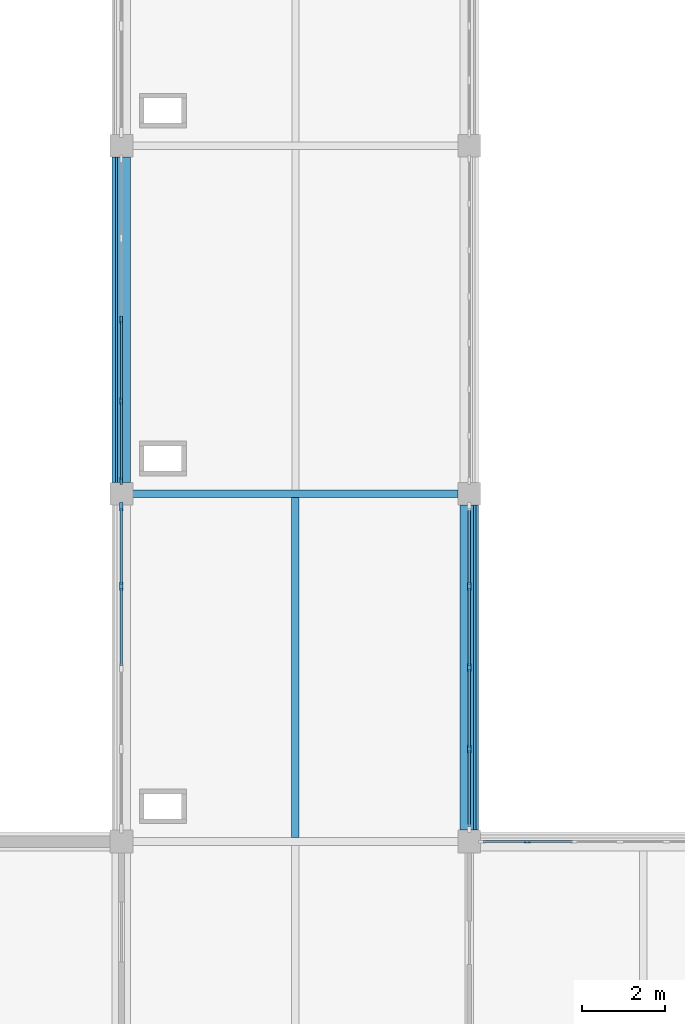
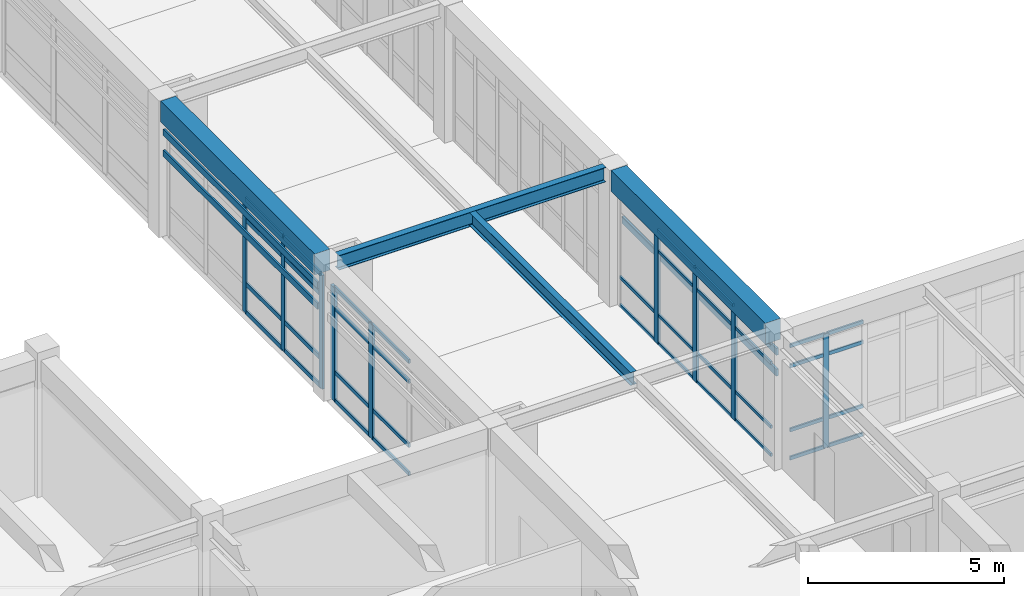
# One storey, part 22 of 78: 51 members, 4 beams, 4 elements without a shape of their own.
"""IFC4 building model written with IfcOpenShell, lengths in metres."""

from ifc_helpers import new_model, si_unit, direction, frame, origin, origin_2d, place, context, subcontext, project, spatial, rectangle, i_section, extrude, material, layer, layer_set, material_profile, profile_set, type_object, element, aggregate, save


model = new_model("IFC4")

# Units and contexts
model_context = context("Model", 3, precision=1e-05, world=origin(), true_north=direction((0.0, 1.0)))
body_context = subcontext(model_context, "Body", "Model", "MODEL_VIEW")
ifc_project = project(units=[si_unit("LENGTHUNIT", "METRE"), si_unit("AREAUNIT", "SQUARE_METRE"), si_unit("VOLUMEUNIT", "CUBIC_METRE"), si_unit("PLANEANGLEUNIT", "RADIAN"), si_unit("MASSUNIT", "GRAM", prefix="KILO")], contexts=[model_context])

# Site, building, storey
site_placement = place(None, origin())
site = spatial("IfcSite", under=ifc_project, at=site_placement, CompositionType="ELEMENT")
building_placement = place(site_placement, origin())
building = spatial("IfcBuilding", under=site, at=building_placement, Name="Porcellanite Civic Hall", CompositionType="ELEMENT")
storey_placement = place(building_placement, frame((0.0, 0.0, 10.260009765625)))
storey = spatial("IfcBuildingStorey", under=building, at=storey_placement, Name="L02", CompositionType="ELEMENT", Elevation=10.260009765625)

# Beams
ifc_material_1 = material(Name="Concrete N50 (50 MPa)", Category="concrete")
ifc_material_profile_1 = material_profile(ifc_material_1, rectangle(XDim=0.449951171875, YDim=0.64990234375, at=origin_2d()), Name="RC-450x650")
ifc_profile_set_1 = profile_set([ifc_material_profile_1], Name="Concrete N50 (50 MPa)")
beam_type_1 = type_object("IfcBeamType", Name="BM-RC650", PredefinedType="SPANDREL", material=ifc_profile_set_1)
beam_1_placement = place(storey_placement, frame((117.60009765625, 75.87451171875, 3.9150390625), z_axis=(0.0, 1.0, 0.0), x_axis=(-1.0, 0.0, 0.0)))
element("IfcBeam", 1, at=beam_1_placement, inside=storey, type_object=beam_type_1, Name="Beam Y L02 15-10", PredefinedType="SPANDREL", context=body_context, shape_type="SweptSolid", body=[
    extrude(rectangle(XDim=0.449951171875, YDim=0.64990234375, at=origin_2d()), origin(), (0.0, 0.0, 1.0), 7.85107421875),
])
beam_2_placement = place(storey_placement, frame((126.0, 67.474609375, 3.9150390625), z_axis=(0.0, 1.0, 0.0), x_axis=(-1.0, 0.0, 0.0)))
element("IfcBeam", 2, at=beam_2_placement, inside=storey, type_object=beam_type_1, Name="Beam Y L02 16-9", PredefinedType="SPANDREL", context=body_context, shape_type="SweptSolid", body=[
    extrude(rectangle(XDim=0.449951171875, YDim=0.64990234375, at=origin_2d()), origin(), (0.0, 0.0, 1.0), 7.850830078125),
])

# Curtain wall, members
ifc_material_2 = material(Name="Anodised aluminium and solar laminated glass", Category="aluminium")
ifc_layer_1 = layer(ifc_material_2, 0.179931640625)
ifc_layer_set_1 = layer_set([ifc_layer_1], Name="Anodised aluminium and solar laminated glass")
curtain_wall_type_1 = type_object("IfcCurtainWallType", Name="CW-SYS03", PredefinedType="NOTDEFINED", material=ifc_layer_set_1)
curtain_wall_1_placement = place(storey_placement, origin())
curtain_wall_1 = element("IfcCurtainWall", 3, at=curtain_wall_1_placement, inside=storey, type_object=curtain_wall_type_1, Name="Curtain wall CW-162", PredefinedType="NOTDEFINED")
ifc_material_3 = material(Name="Anodised aluminium 6063-T6", Category="aluminium")
ifc_material_profile_2 = material_profile(ifc_material_3, rectangle(XDim=0.080078125, YDim=0.2099609375, at=origin_2d()), Name="AL-80x210")
ifc_profile_set_2 = profile_set([ifc_material_profile_2], Name="Anodised aluminium 6063-T6")
member_type_1 = type_object("IfcMemberType", Name="CWM-02", PredefinedType="MULLION", material=ifc_profile_set_2)
member_1_placement = place(storey_placement, frame((117.60009765625, 73.362060546875, 0.0), z_axis=(0.0, 0.0, 1.0), x_axis=(-1.0, 0.0, 0.0)))
member_1 = element("IfcMember", 4, at=member_1_placement, type_object=member_type_1, Name="CW-162 mullion 4", PredefinedType="MULLION", context=body_context, shape_type="SweptSolid", body=[
    extrude(rectangle(XDim=0.080078125, YDim=0.2099609375, at=origin_2d()), origin(), (0.0, 0.0, 1.0), 3.5400390625),
])
member_2_placement = place(storey_placement, frame((117.60009765625, 75.283935546875, 0.0), z_axis=(0.0, 0.0, 1.0), x_axis=(-1.0, 0.0, 0.0)))
member_2 = element("IfcMember", 5, at=member_2_placement, type_object=member_type_1, Name="CW-162 mullion 5", PredefinedType="MULLION", context=body_context, shape_type="SweptSolid", body=[
    extrude(rectangle(XDim=0.080078125, YDim=0.2099609375, at=origin_2d()), origin(), (0.0, 0.0, 1.0), 3.5400390625),
])

ifc_material_4 = material(Name="Anodised aluminium and solar laminated glass", Category="aluminium")
ifc_layer_2 = layer(ifc_material_4, 0.179931640625)
ifc_layer_set_2 = layer_set([ifc_layer_2], Name="Anodised aluminium and solar laminated glass")
curtain_wall_type_2 = type_object("IfcCurtainWallType", Name="CW-SYS04", PredefinedType="NOTDEFINED", material=ifc_layer_set_2)
curtain_wall_2_placement = place(storey_placement, origin())
curtain_wall_2 = element("IfcCurtainWall", 6, at=curtain_wall_2_placement, inside=storey, type_object=curtain_wall_type_2, Name="Curtain wall CW-163", PredefinedType="NOTDEFINED")
ifc_material_5 = material(Name="Anodised aluminium 6063-T6", Category="aluminium")
ifc_material_profile_3 = material_profile(ifc_material_5, rectangle(XDim=0.074951171875, YDim=0.18994140625, at=origin_2d()), Name="AL-75x190")
ifc_profile_set_3 = profile_set([ifc_material_profile_3], Name="Anodised aluminium 6063-T6")
member_type_2 = type_object("IfcMemberType", Name="CWM-04", PredefinedType="MULLION", material=ifc_profile_set_3)
member_3_placement = place(storey_placement, frame((126.0, 73.362060546875, 0.0), z_axis=(0.0, 0.0, 1.0), x_axis=(1.0, 0.0, 0.0)))
member_3 = element("IfcMember", 7, at=member_3_placement, type_object=member_type_2, Name="CW-163 mullion 2", PredefinedType="MULLION", context=body_context, shape_type="SweptSolid", body=[
    extrude(rectangle(XDim=0.074951171875, YDim=0.18994140625, at=origin_2d()), origin(), (0.0, 0.0, 1.0), 3.5400390625),
])
member_4_placement = place(storey_placement, frame((126.0, 71.39990234375, 0.0), z_axis=(0.0, 0.0, 1.0), x_axis=(1.0, 0.0, 0.0)))
member_4 = element("IfcMember", 8, at=member_4_placement, type_object=member_type_2, Name="CW-163 mullion 3", PredefinedType="MULLION", context=body_context, shape_type="SweptSolid", body=[
    extrude(rectangle(XDim=0.074951171875, YDim=0.18994140625, at=origin_2d()), origin(), (0.0, 0.0, 1.0), 3.5400390625),
])
member_5_placement = place(storey_placement, frame((126.0, 69.43798828125, 0.0), z_axis=(0.0, 0.0, 1.0), x_axis=(1.0, 0.0, 0.0)))
member_5 = element("IfcMember", 9, at=member_5_placement, type_object=member_type_2, Name="CW-163 mullion 4", PredefinedType="MULLION", context=body_context, shape_type="SweptSolid", body=[
    extrude(rectangle(XDim=0.074951171875, YDim=0.18994140625, at=origin_2d()), origin(), (0.0, 0.0, 1.0), 3.5400390625),
])

ifc_material_6 = material(Name="Anodised aluminium and solar laminated glass", Category="aluminium")
ifc_layer_3 = layer(ifc_material_6, 0.179931640625)
ifc_layer_set_3 = layer_set([ifc_layer_3], Name="Anodised aluminium and solar laminated glass")
curtain_wall_type_3 = type_object("IfcCurtainWallType", Name="CW-SYS06", PredefinedType="NOTDEFINED", material=ifc_layer_set_3)
curtain_wall_3_placement = place(storey_placement, origin())
curtain_wall_3 = element("IfcCurtainWall", 10, at=curtain_wall_3_placement, inside=storey, type_object=curtain_wall_type_3, Name="Curtain wall CW-164", PredefinedType="NOTDEFINED")
ifc_material_7 = material(Name="Anodised aluminium 6063-T6", Category="aluminium")
ifc_material_profile_4 = material_profile(ifc_material_7, rectangle(XDim=0.06494140625, YDim=0.179931640625, at=origin_2d()), Name="AL-65x180")
ifc_profile_set_4 = profile_set([ifc_material_profile_4], Name="Anodised aluminium 6063-T6")
member_type_3 = type_object("IfcMemberType", Name="CWM-06", PredefinedType="MULLION", material=ifc_profile_set_4)
member_6_placement = place(storey_placement, frame((117.60009765625, 75.908447265625, 0.0), z_axis=(0.0, 0.0, 1.0), x_axis=(-1.0, 0.0, 0.0)))
member_6 = element("IfcMember", 11, at=member_6_placement, type_object=member_type_3, Name="CW-164 mullion 1", PredefinedType="MULLION", context=body_context, shape_type="SweptSolid", body=[
    extrude(rectangle(XDim=0.06494140625, YDim=0.179931640625, at=origin_2d()), origin(), (0.0, 0.0, 1.0), 3.5400390625),
])
member_7_placement = place(storey_placement, frame((117.60009765625, 77.837890625, 0.0), z_axis=(0.0, 0.0, 1.0), x_axis=(-1.0, 0.0, 0.0)))
member_7 = element("IfcMember", 12, at=member_7_placement, type_object=member_type_3, Name="CW-164 mullion 2", PredefinedType="MULLION", context=body_context, shape_type="SweptSolid", body=[
    extrude(rectangle(XDim=0.06494140625, YDim=0.179931640625, at=origin_2d()), origin(), (0.0, 0.0, 1.0), 3.5400390625),
])
member_8_placement = place(storey_placement, frame((117.60009765625, 79.800048828125, 0.0), z_axis=(0.0, 0.0, 1.0), x_axis=(-1.0, 0.0, 0.0)))
member_8 = element("IfcMember", 13, at=member_8_placement, type_object=member_type_3, Name="CW-164 mullion 3", PredefinedType="MULLION", context=body_context, shape_type="SweptSolid", body=[
    extrude(rectangle(XDim=0.06494140625, YDim=0.179931640625, at=origin_2d()), origin(), (0.0, 0.0, 1.0), 3.5400390625),
])

# Curtain wall, member
ifc_material_8 = material(Name="Anodised aluminium and solar laminated glass", Category="aluminium")
ifc_layer_4 = layer(ifc_material_8, 0.179931640625)
ifc_layer_set_4 = layer_set([ifc_layer_4], Name="Anodised aluminium and solar laminated glass")
curtain_wall_type_4 = type_object("IfcCurtainWallType", Name="CW-SYS07", PredefinedType="NOTDEFINED", material=ifc_layer_set_4)
curtain_wall_4_placement = place(storey_placement, origin())
curtain_wall_4 = element("IfcCurtainWall", 14, at=curtain_wall_4_placement, inside=storey, type_object=curtain_wall_type_4, Name="Curtain wall CW-171", PredefinedType="NOTDEFINED")
ifc_material_9 = material(Name="Anodised aluminium 6063-T6", Category="aluminium")
ifc_material_profile_5 = material_profile(ifc_material_9, rectangle(XDim=0.06005859375, YDim=0.159912109375, at=origin_2d()), Name="AL-60x160")
ifc_profile_set_5 = profile_set([ifc_material_profile_5], Name="Anodised aluminium 6063-T6")
member_type_4 = type_object("IfcMemberType", Name="CWM-07", PredefinedType="MULLION", material=ifc_profile_set_5)
member_9_placement = place(storey_placement, frame((127.397216796875, 67.199951171875, 0.0), z_axis=(0.0, 0.0, 1.0), x_axis=(0.0, 1.0, 0.0)))
member_9 = element("IfcMember", 15, at=member_9_placement, type_object=member_type_4, Name="CW-171 mullion 2", PredefinedType="MULLION", context=body_context, shape_type="SweptSolid", body=[
    extrude(rectangle(XDim=0.06005859375, YDim=0.159912109375, at=origin_2d()), origin(), (0.0, 0.0, 1.0), 3.5400390625),
])

# Member
ifc_material_10 = material(Name="Anodised aluminium 6063-T6", Category="aluminium")
ifc_material_profile_6 = material_profile(ifc_material_10, rectangle(XDim=0.054931640625, YDim=0.1201171875, at=origin_2d()), Name="AL-55x120")
ifc_profile_set_6 = profile_set([ifc_material_profile_6], Name="Anodised aluminium 6063-T6")
member_type_5 = type_object("IfcMemberType", Name="CWT-04", PredefinedType="USERDEFINED", material=ifc_profile_set_6)
member_10_placement = place(storey_placement, frame((117.60009765625, 71.43994140625, 0.027587890625), z_axis=(0.0, 1.0, 0.0), x_axis=(-1.0, 0.0, 0.0)))
member_10 = element("IfcMember", 16, at=member_10_placement, type_object=member_type_5, Name="CW-162 transom 3.1", ObjectType="TRANSOM", PredefinedType="USERDEFINED", context=body_context, shape_type="SweptSolid", body=[
    extrude(rectangle(XDim=0.054931640625, YDim=0.1201171875, at=origin_2d()), origin(), (0.0, 0.0, 1.0), 1.882080078125),
])

member_11_placement = place(storey_placement, frame((117.60009765625, 71.43994140625, 0.89990234375), z_axis=(0.0, 1.0, 0.0), x_axis=(-1.0, 0.0, 0.0)))
member_11 = element("IfcMember", 17, at=member_11_placement, type_object=member_type_5, Name="CW-162 transom 3.2", ObjectType="TRANSOM", PredefinedType="USERDEFINED", context=body_context, shape_type="SweptSolid", body=[
    extrude(rectangle(XDim=0.054931640625, YDim=0.1201171875, at=origin_2d()), origin(), (0.0, 0.0, 1.0), 1.882080078125),
])

member_12_placement = place(storey_placement, frame((117.60009765625, 71.43994140625, 2.889892578125), z_axis=(0.0, 1.0, 0.0), x_axis=(-1.0, 0.0, 0.0)))
member_12 = element("IfcMember", 18, at=member_12_placement, type_object=member_type_5, Name="CW-162 transom 3.3", ObjectType="TRANSOM", PredefinedType="USERDEFINED", context=body_context, shape_type="SweptSolid", body=[
    extrude(rectangle(XDim=0.054931640625, YDim=0.1201171875, at=origin_2d()), origin(), (0.0, 0.0, 1.0), 1.882080078125),
])

member_13_placement = place(storey_placement, frame((117.60009765625, 71.43994140625, 3.512451171875), z_axis=(0.0, 1.0, 0.0), x_axis=(-1.0, 0.0, 0.0)))
member_13 = element("IfcMember", 19, at=member_13_placement, type_object=member_type_5, Name="CW-162 transom 3.4", ObjectType="TRANSOM", PredefinedType="USERDEFINED", context=body_context, shape_type="SweptSolid", body=[
    extrude(rectangle(XDim=0.054931640625, YDim=0.1201171875, at=origin_2d()), origin(), (0.0, 0.0, 1.0), 1.882080078125),
])

member_14_placement = place(storey_placement, frame((117.60009765625, 73.402099609375, 0.027587890625), z_axis=(0.0, 1.0, 0.0), x_axis=(-1.0, 0.0, 0.0)))
member_14 = element("IfcMember", 20, at=member_14_placement, type_object=member_type_5, Name="CW-162 transom 4.1", ObjectType="TRANSOM", PredefinedType="USERDEFINED", context=body_context, shape_type="SweptSolid", body=[
    extrude(rectangle(XDim=0.054931640625, YDim=0.1201171875, at=origin_2d()), origin(), (0.0, 0.0, 1.0), 1.841796875),
])

member_15_placement = place(storey_placement, frame((117.60009765625, 73.402099609375, 0.89990234375), z_axis=(0.0, 1.0, 0.0), x_axis=(-1.0, 0.0, 0.0)))
member_15 = element("IfcMember", 21, at=member_15_placement, type_object=member_type_5, Name="CW-162 transom 4.2", ObjectType="TRANSOM", PredefinedType="USERDEFINED", context=body_context, shape_type="SweptSolid", body=[
    extrude(rectangle(XDim=0.054931640625, YDim=0.1201171875, at=origin_2d()), origin(), (0.0, 0.0, 1.0), 1.841796875),
])

member_16_placement = place(storey_placement, frame((117.60009765625, 73.402099609375, 2.889892578125), z_axis=(0.0, 1.0, 0.0), x_axis=(-1.0, 0.0, 0.0)))
member_16 = element("IfcMember", 22, at=member_16_placement, type_object=member_type_5, Name="CW-162 transom 4.3", ObjectType="TRANSOM", PredefinedType="USERDEFINED", context=body_context, shape_type="SweptSolid", body=[
    extrude(rectangle(XDim=0.054931640625, YDim=0.1201171875, at=origin_2d()), origin(), (0.0, 0.0, 1.0), 1.841796875),
])

member_17_placement = place(storey_placement, frame((117.60009765625, 73.402099609375, 3.512451171875), z_axis=(0.0, 1.0, 0.0), x_axis=(-1.0, 0.0, 0.0)))
member_17 = element("IfcMember", 23, at=member_17_placement, type_object=member_type_5, Name="CW-162 transom 4.4", ObjectType="TRANSOM", PredefinedType="USERDEFINED", context=body_context, shape_type="SweptSolid", body=[
    extrude(rectangle(XDim=0.054931640625, YDim=0.1201171875, at=origin_2d()), origin(), (0.0, 0.0, 1.0), 1.841796875),
])

aggregate(curtain_wall_1, [member_1, member_2, member_10, member_11, member_12, member_13, member_14, member_15, member_16, member_17])

ifc_material_11 = material(Name="Anodised aluminium 6063-T6", Category="aluminium")
ifc_material_profile_7 = material_profile(ifc_material_11, rectangle(XDim=0.054931640625, YDim=0.10009765625, at=origin_2d()), Name="AL-55x100")
ifc_profile_set_7 = profile_set([ifc_material_profile_7], Name="Anodised aluminium 6063-T6")
member_type_6 = type_object("IfcMemberType", Name="CWT-05", PredefinedType="USERDEFINED", material=ifc_profile_set_7)
member_18_placement = place(storey_placement, frame((126.0, 75.2490234375, 0.027587890625), z_axis=(0.0, -1.0, 0.0), x_axis=(1.0, 0.0, 0.0)))
member_18 = element("IfcMember", 24, at=member_18_placement, type_object=member_type_6, Name="CW-163 transom 1.1", ObjectType="TRANSOM", PredefinedType="USERDEFINED", context=body_context, shape_type="SweptSolid", body=[
    extrude(rectangle(XDim=0.054931640625, YDim=0.10009765625, at=origin_2d()), origin(), (0.0, 0.0, 1.0), 1.849609375),
])

member_19_placement = place(storey_placement, frame((126.0, 75.2490234375, 0.89990234375), z_axis=(0.0, -1.0, 0.0), x_axis=(1.0, 0.0, 0.0)))
member_19 = element("IfcMember", 25, at=member_19_placement, type_object=member_type_6, Name="CW-163 transom 1.2", ObjectType="TRANSOM", PredefinedType="USERDEFINED", context=body_context, shape_type="SweptSolid", body=[
    extrude(rectangle(XDim=0.054931640625, YDim=0.10009765625, at=origin_2d()), origin(), (0.0, 0.0, 1.0), 1.849609375),
])

member_20_placement = place(storey_placement, frame((126.0, 73.324462890625, 0.027587890625), z_axis=(0.0, -1.0, 0.0), x_axis=(1.0, 0.0, 0.0)))
member_20 = element("IfcMember", 26, at=member_20_placement, type_object=member_type_6, Name="CW-163 transom 2.1", ObjectType="TRANSOM", PredefinedType="USERDEFINED", context=body_context, shape_type="SweptSolid", body=[
    extrude(rectangle(XDim=0.054931640625, YDim=0.10009765625, at=origin_2d()), origin(), (0.0, 0.0, 1.0), 1.886962890625),
])

member_21_placement = place(storey_placement, frame((126.0, 73.324462890625, 0.89990234375), z_axis=(0.0, -1.0, 0.0), x_axis=(1.0, 0.0, 0.0)))
member_21 = element("IfcMember", 27, at=member_21_placement, type_object=member_type_6, Name="CW-163 transom 2.2", ObjectType="TRANSOM", PredefinedType="USERDEFINED", context=body_context, shape_type="SweptSolid", body=[
    extrude(rectangle(XDim=0.054931640625, YDim=0.10009765625, at=origin_2d()), origin(), (0.0, 0.0, 1.0), 1.886962890625),
])

member_22_placement = place(storey_placement, frame((126.0, 73.324462890625, 2.889892578125), z_axis=(0.0, -1.0, 0.0), x_axis=(1.0, 0.0, 0.0)))
member_22 = element("IfcMember", 28, at=member_22_placement, type_object=member_type_6, Name="CW-163 transom 2.3", ObjectType="TRANSOM", PredefinedType="USERDEFINED", context=body_context, shape_type="SweptSolid", body=[
    extrude(rectangle(XDim=0.054931640625, YDim=0.10009765625, at=origin_2d()), origin(), (0.0, 0.0, 1.0), 1.886962890625),
])

member_23_placement = place(storey_placement, frame((126.0, 73.324462890625, 3.512451171875), z_axis=(0.0, -1.0, 0.0), x_axis=(1.0, 0.0, 0.0)))
member_23 = element("IfcMember", 29, at=member_23_placement, type_object=member_type_6, Name="CW-163 transom 2.4", ObjectType="TRANSOM", PredefinedType="USERDEFINED", context=body_context, shape_type="SweptSolid", body=[
    extrude(rectangle(XDim=0.054931640625, YDim=0.10009765625, at=origin_2d()), origin(), (0.0, 0.0, 1.0), 1.886962890625),
])

member_24_placement = place(storey_placement, frame((126.0, 71.362548828125, 0.027587890625), z_axis=(0.0, -1.0, 0.0), x_axis=(1.0, 0.0, 0.0)))
member_24 = element("IfcMember", 30, at=member_24_placement, type_object=member_type_6, Name="CW-163 transom 3.1", ObjectType="TRANSOM", PredefinedType="USERDEFINED", context=body_context, shape_type="SweptSolid", body=[
    extrude(rectangle(XDim=0.054931640625, YDim=0.10009765625, at=origin_2d()), origin(), (0.0, 0.0, 1.0), 1.886962890625),
])

member_25_placement = place(storey_placement, frame((126.0, 71.362548828125, 0.89990234375), z_axis=(0.0, -1.0, 0.0), x_axis=(1.0, 0.0, 0.0)))
member_25 = element("IfcMember", 31, at=member_25_placement, type_object=member_type_6, Name="CW-163 transom 3.2", ObjectType="TRANSOM", PredefinedType="USERDEFINED", context=body_context, shape_type="SweptSolid", body=[
    extrude(rectangle(XDim=0.054931640625, YDim=0.10009765625, at=origin_2d()), origin(), (0.0, 0.0, 1.0), 1.886962890625),
])

member_26_placement = place(storey_placement, frame((126.0, 71.362548828125, 2.889892578125), z_axis=(0.0, -1.0, 0.0), x_axis=(1.0, 0.0, 0.0)))
member_26 = element("IfcMember", 32, at=member_26_placement, type_object=member_type_6, Name="CW-163 transom 3.3", ObjectType="TRANSOM", PredefinedType="USERDEFINED", context=body_context, shape_type="SweptSolid", body=[
    extrude(rectangle(XDim=0.054931640625, YDim=0.10009765625, at=origin_2d()), origin(), (0.0, 0.0, 1.0), 1.886962890625),
])

member_27_placement = place(storey_placement, frame((126.0, 71.362548828125, 3.512451171875), z_axis=(0.0, -1.0, 0.0), x_axis=(1.0, 0.0, 0.0)))
member_27 = element("IfcMember", 33, at=member_27_placement, type_object=member_type_6, Name="CW-163 transom 3.4", ObjectType="TRANSOM", PredefinedType="USERDEFINED", context=body_context, shape_type="SweptSolid", body=[
    extrude(rectangle(XDim=0.054931640625, YDim=0.10009765625, at=origin_2d()), origin(), (0.0, 0.0, 1.0), 1.886962890625),
])

member_28_placement = place(storey_placement, frame((126.0, 69.400390625, 0.027587890625), z_axis=(0.0, -1.0, 0.0), x_axis=(1.0, 0.0, 0.0)))
member_28 = element("IfcMember", 34, at=member_28_placement, type_object=member_type_6, Name="CW-163 transom 4.1", ObjectType="TRANSOM", PredefinedType="USERDEFINED", context=body_context, shape_type="SweptSolid", body=[
    extrude(rectangle(XDim=0.054931640625, YDim=0.10009765625, at=origin_2d()), origin(), (0.0, 0.0, 1.0), 1.849365234375),
])

member_29_placement = place(storey_placement, frame((126.0, 69.400390625, 0.89990234375), z_axis=(0.0, -1.0, 0.0), x_axis=(1.0, 0.0, 0.0)))
member_29 = element("IfcMember", 35, at=member_29_placement, type_object=member_type_6, Name="CW-163 transom 4.2", ObjectType="TRANSOM", PredefinedType="USERDEFINED", context=body_context, shape_type="SweptSolid", body=[
    extrude(rectangle(XDim=0.054931640625, YDim=0.10009765625, at=origin_2d()), origin(), (0.0, 0.0, 1.0), 1.849365234375),
])

member_30_placement = place(storey_placement, frame((126.0, 69.400390625, 2.889892578125), z_axis=(0.0, -1.0, 0.0), x_axis=(1.0, 0.0, 0.0)))
member_30 = element("IfcMember", 36, at=member_30_placement, type_object=member_type_6, Name="CW-163 transom 4.3", ObjectType="TRANSOM", PredefinedType="USERDEFINED", context=body_context, shape_type="SweptSolid", body=[
    extrude(rectangle(XDim=0.054931640625, YDim=0.10009765625, at=origin_2d()), origin(), (0.0, 0.0, 1.0), 1.849365234375),
])

member_31_placement = place(storey_placement, frame((126.0, 69.400390625, 3.512451171875), z_axis=(0.0, -1.0, 0.0), x_axis=(1.0, 0.0, 0.0)))
member_31 = element("IfcMember", 37, at=member_31_placement, type_object=member_type_6, Name="CW-163 transom 4.4", ObjectType="TRANSOM", PredefinedType="USERDEFINED", context=body_context, shape_type="SweptSolid", body=[
    extrude(rectangle(XDim=0.054931640625, YDim=0.10009765625, at=origin_2d()), origin(), (0.0, 0.0, 1.0), 1.849365234375),
])

aggregate(curtain_wall_2, [member_3, member_4, member_5, member_18, member_19, member_20, member_21, member_22, member_23, member_24, member_25, member_26, member_27, member_28, member_29, member_30, member_31])

ifc_material_12 = material(Name="Anodised aluminium 6063-T6", Category="aluminium")
ifc_material_profile_8 = material_profile(ifc_material_12, rectangle(XDim=0.050048828125, YDim=0.139892578125, at=origin_2d()), Name="AL-50x140")
ifc_profile_set_8 = profile_set([ifc_material_profile_8], Name="Anodised aluminium 6063-T6")
member_type_7 = type_object("IfcMemberType", Name="CWT-06", PredefinedType="USERDEFINED", material=ifc_profile_set_8)
member_32_placement = place(storey_placement, frame((117.60009765625, 75.94091796875, 0.02490234375), z_axis=(0.0, 1.0, 0.0), x_axis=(-1.0, 0.0, 0.0)))
member_32 = element("IfcMember", 38, at=member_32_placement, type_object=member_type_7, Name="CW-164 transom 1.1", ObjectType="TRANSOM", PredefinedType="USERDEFINED", context=body_context, shape_type="SweptSolid", body=[
    extrude(rectangle(XDim=0.050048828125, YDim=0.139892578125, at=origin_2d()), origin(), (0.0, 0.0, 1.0), 1.864501953125),
])

member_33_placement = place(storey_placement, frame((117.60009765625, 75.94091796875, 0.89990234375), z_axis=(0.0, 1.0, 0.0), x_axis=(-1.0, 0.0, 0.0)))
member_33 = element("IfcMember", 39, at=member_33_placement, type_object=member_type_7, Name="CW-164 transom 1.2", ObjectType="TRANSOM", PredefinedType="USERDEFINED", context=body_context, shape_type="SweptSolid", body=[
    extrude(rectangle(XDim=0.050048828125, YDim=0.139892578125, at=origin_2d()), origin(), (0.0, 0.0, 1.0), 1.864501953125),
])

member_34_placement = place(storey_placement, frame((117.60009765625, 75.94091796875, 2.889892578125), z_axis=(0.0, 1.0, 0.0), x_axis=(-1.0, 0.0, 0.0)))
member_34 = element("IfcMember", 40, at=member_34_placement, type_object=member_type_7, Name="CW-164 transom 1.3", ObjectType="TRANSOM", PredefinedType="USERDEFINED", context=body_context, shape_type="SweptSolid", body=[
    extrude(rectangle(XDim=0.050048828125, YDim=0.139892578125, at=origin_2d()), origin(), (0.0, 0.0, 1.0), 1.864501953125),
])

member_35_placement = place(storey_placement, frame((117.60009765625, 75.94091796875, 3.514892578125), z_axis=(0.0, 1.0, 0.0), x_axis=(-1.0, 0.0, 0.0)))
member_35 = element("IfcMember", 41, at=member_35_placement, type_object=member_type_7, Name="CW-164 transom 1.4", ObjectType="TRANSOM", PredefinedType="USERDEFINED", context=body_context, shape_type="SweptSolid", body=[
    extrude(rectangle(XDim=0.050048828125, YDim=0.139892578125, at=origin_2d()), origin(), (0.0, 0.0, 1.0), 1.864501953125),
])

member_36_placement = place(storey_placement, frame((117.60009765625, 77.87060546875, 0.02490234375), z_axis=(0.0, 1.0, 0.0), x_axis=(-1.0, 0.0, 0.0)))
member_36 = element("IfcMember", 42, at=member_36_placement, type_object=member_type_7, Name="CW-164 transom 2.1", ObjectType="TRANSOM", PredefinedType="USERDEFINED", context=body_context, shape_type="SweptSolid", body=[
    extrude(rectangle(XDim=0.050048828125, YDim=0.139892578125, at=origin_2d()), origin(), (0.0, 0.0, 1.0), 1.89697265625),
])

member_37_placement = place(storey_placement, frame((117.60009765625, 77.87060546875, 0.89990234375), z_axis=(0.0, 1.0, 0.0), x_axis=(-1.0, 0.0, 0.0)))
member_37 = element("IfcMember", 43, at=member_37_placement, type_object=member_type_7, Name="CW-164 transom 2.2", ObjectType="TRANSOM", PredefinedType="USERDEFINED", context=body_context, shape_type="SweptSolid", body=[
    extrude(rectangle(XDim=0.050048828125, YDim=0.139892578125, at=origin_2d()), origin(), (0.0, 0.0, 1.0), 1.89697265625),
])

member_38_placement = place(storey_placement, frame((117.60009765625, 77.87060546875, 2.889892578125), z_axis=(0.0, 1.0, 0.0), x_axis=(-1.0, 0.0, 0.0)))
member_38 = element("IfcMember", 44, at=member_38_placement, type_object=member_type_7, Name="CW-164 transom 2.3", ObjectType="TRANSOM", PredefinedType="USERDEFINED", context=body_context, shape_type="SweptSolid", body=[
    extrude(rectangle(XDim=0.050048828125, YDim=0.139892578125, at=origin_2d()), origin(), (0.0, 0.0, 1.0), 1.89697265625),
])

member_39_placement = place(storey_placement, frame((117.60009765625, 77.87060546875, 3.514892578125), z_axis=(0.0, 1.0, 0.0), x_axis=(-1.0, 0.0, 0.0)))
member_39 = element("IfcMember", 45, at=member_39_placement, type_object=member_type_7, Name="CW-164 transom 2.4", ObjectType="TRANSOM", PredefinedType="USERDEFINED", context=body_context, shape_type="SweptSolid", body=[
    extrude(rectangle(XDim=0.050048828125, YDim=0.139892578125, at=origin_2d()), origin(), (0.0, 0.0, 1.0), 1.89697265625),
])

aggregate(curtain_wall_3, [member_6, member_7, member_8, member_32, member_33, member_34, member_35, member_36, member_37, member_38, member_39])

ifc_material_13 = material(Name="Anodised aluminium 6063-T6", Category="aluminium")
ifc_material_profile_9 = material_profile(ifc_material_13, rectangle(XDim=0.050048828125, YDim=0.110107421875, at=origin_2d()), Name="AL-50x110")
ifc_profile_set_9 = profile_set([ifc_material_profile_9], Name="Anodised aluminium 6063-T6")
member_type_8 = type_object("IfcMemberType", Name="CWT-07", PredefinedType="USERDEFINED", material=ifc_profile_set_9)
member_40_placement = place(storey_placement, frame((126.3359375, 67.199951171875, 0.02490234375), z_axis=(1.0, 0.0, 0.0), x_axis=(0.0, 1.0, 0.0)))
member_40 = element("IfcMember", 46, at=member_40_placement, type_object=member_type_8, Name="CW-171 transom 1.1", ObjectType="TRANSOM", PredefinedType="USERDEFINED", context=body_context, shape_type="SweptSolid", body=[
    extrude(rectangle(XDim=0.050048828125, YDim=0.110107421875, at=origin_2d()), origin(), (0.0, 0.0, 1.0), 1.03125),
])

member_41_placement = place(storey_placement, frame((126.3359375, 67.199951171875, 0.89990234375), z_axis=(1.0, 0.0, 0.0), x_axis=(0.0, 1.0, 0.0)))
member_41 = element("IfcMember", 47, at=member_41_placement, type_object=member_type_8, Name="CW-171 transom 1.2", ObjectType="TRANSOM", PredefinedType="USERDEFINED", context=body_context, shape_type="SweptSolid", body=[
    extrude(rectangle(XDim=0.050048828125, YDim=0.110107421875, at=origin_2d()), origin(), (0.0, 0.0, 1.0), 1.03125),
])

member_42_placement = place(storey_placement, frame((126.3359375, 67.199951171875, 2.889892578125), z_axis=(1.0, 0.0, 0.0), x_axis=(0.0, 1.0, 0.0)))
member_42 = element("IfcMember", 48, at=member_42_placement, type_object=member_type_8, Name="CW-171 transom 1.3", ObjectType="TRANSOM", PredefinedType="USERDEFINED", context=body_context, shape_type="SweptSolid", body=[
    extrude(rectangle(XDim=0.050048828125, YDim=0.110107421875, at=origin_2d()), origin(), (0.0, 0.0, 1.0), 1.03125),
])

member_43_placement = place(storey_placement, frame((126.3359375, 67.199951171875, 3.514892578125), z_axis=(1.0, 0.0, 0.0), x_axis=(0.0, 1.0, 0.0)))
member_43 = element("IfcMember", 49, at=member_43_placement, type_object=member_type_8, Name="CW-171 transom 1.4", ObjectType="TRANSOM", PredefinedType="USERDEFINED", context=body_context, shape_type="SweptSolid", body=[
    extrude(rectangle(XDim=0.050048828125, YDim=0.110107421875, at=origin_2d()), origin(), (0.0, 0.0, 1.0), 1.03125),
])

member_44_placement = place(storey_placement, frame((127.42724609375, 67.199951171875, 0.02490234375), z_axis=(1.0, 0.0, 0.0), x_axis=(0.0, 1.0, 0.0)))
member_44 = element("IfcMember", 50, at=member_44_placement, type_object=member_type_8, Name="CW-171 transom 2.1", ObjectType="TRANSOM", PredefinedType="USERDEFINED", context=body_context, shape_type="SweptSolid", body=[
    extrude(rectangle(XDim=0.050048828125, YDim=0.110107421875, at=origin_2d()), origin(), (0.0, 0.0, 1.0), 1.06103515625),
])

member_45_placement = place(storey_placement, frame((127.42724609375, 67.199951171875, 0.89990234375), z_axis=(1.0, 0.0, 0.0), x_axis=(0.0, 1.0, 0.0)))
member_45 = element("IfcMember", 51, at=member_45_placement, type_object=member_type_8, Name="CW-171 transom 2.2", ObjectType="TRANSOM", PredefinedType="USERDEFINED", context=body_context, shape_type="SweptSolid", body=[
    extrude(rectangle(XDim=0.050048828125, YDim=0.110107421875, at=origin_2d()), origin(), (0.0, 0.0, 1.0), 1.06103515625),
])

member_46_placement = place(storey_placement, frame((127.42724609375, 67.199951171875, 2.889892578125), z_axis=(1.0, 0.0, 0.0), x_axis=(0.0, 1.0, 0.0)))
member_46 = element("IfcMember", 52, at=member_46_placement, type_object=member_type_8, Name="CW-171 transom 2.3", ObjectType="TRANSOM", PredefinedType="USERDEFINED", context=body_context, shape_type="SweptSolid", body=[
    extrude(rectangle(XDim=0.050048828125, YDim=0.110107421875, at=origin_2d()), origin(), (0.0, 0.0, 1.0), 1.06103515625),
])

member_47_placement = place(storey_placement, frame((127.42724609375, 67.199951171875, 3.514892578125), z_axis=(1.0, 0.0, 0.0), x_axis=(0.0, 1.0, 0.0)))
member_47 = element("IfcMember", 53, at=member_47_placement, type_object=member_type_8, Name="CW-171 transom 2.4", ObjectType="TRANSOM", PredefinedType="USERDEFINED", context=body_context, shape_type="SweptSolid", body=[
    extrude(rectangle(XDim=0.050048828125, YDim=0.110107421875, at=origin_2d()), origin(), (0.0, 0.0, 1.0), 1.06103515625),
])

aggregate(curtain_wall_4, [member_9, member_40, member_41, member_42, member_43, member_44, member_45, member_46, member_47])

# Beam
ifc_material_14 = material(Name="Steel Grade 350", Category="steel")
ifc_material_profile_10 = material_profile(ifc_material_14, i_section(OverallWidth=0.177978515625, OverallDepth=0.403076171875, WebThickness=0.007568359375, FlangeThickness=0.010986328125, FilletRadius=0.011474609375, at=origin_2d()), Name="410UB53.7")
ifc_profile_set_10 = profile_set([ifc_material_profile_10], Name="Steel Grade 350")
beam_type_2 = type_object("IfcBeamType", Name="JST-410UB54", PredefinedType="JOIST", material=ifc_profile_set_10)
beam_3_placement = place(storey_placement, frame((121.800048828125, 67.29443359375, 4.03857421875), z_axis=(0.0, 1.0, 0.0), x_axis=(-1.0, 0.0, 0.0)))
element("IfcBeam", 54, at=beam_3_placement, inside=storey, type_object=beam_type_2, Name="Secondary joist L02 15-9", PredefinedType="JOIST", context=body_context, shape_type="SweptSolid", body=[
    extrude(i_section(OverallWidth=0.177978515625, OverallDepth=0.403076171875, WebThickness=0.007568359375, FlangeThickness=0.010986328125, FilletRadius=0.011474609375, at=origin_2d()), origin(), (0.0, 0.0, 1.0), 8.211181640625),
])

# Members
ifc_material_15 = material(Name="Fluoropolymer bauxite-red aluminium 6063-T6", Category="aluminium")
ifc_material_profile_11 = material_profile(ifc_material_15, rectangle(XDim=0.06005859375, YDim=0.219970703125, at=origin_2d()), Name="AL-60x220")
ifc_profile_set_11 = profile_set([ifc_material_profile_11], Name="Fluoropolymer bauxite-red aluminium 6063-T6")
member_type_9 = type_object("IfcMemberType", Name="LV-BLD08", PredefinedType="USERDEFINED", material=ifc_profile_set_11)
for number, where, z_axis, x_axis, name in (
    (55, (126.126953125, 75.325439453125, 3.239990234375), (0.0, -1.0, 0.0), (1.0, 0.0, 0.0), "Cyclone sunshade louvre L02 E 14-8 1"),
    (56, (126.126953125, 75.325439453125, 2.590087890625), (0.0, -1.0, 0.0), (1.0, 0.0, 0.0), "Cyclone sunshade louvre L02 E 14-8 2"),
):
    element("IfcMember", number, at=place(storey_placement, frame(where, z_axis=z_axis, x_axis=x_axis)), inside=storey, type_object=member_type_9, Name=name, ObjectType="LOUVRE BLADE", PredefinedType="USERDEFINED", context=body_context, shape_type="SweptSolid", body=[
        extrude(rectangle(XDim=0.06005859375, YDim=0.219970703125, at=origin_2d()), origin(), (0.0, 0.0, 1.0), 7.850830078125),
    ])
ifc_material_16 = material(Name="Fluoropolymer bauxite-red aluminium 6063-T6", Category="aluminium")
ifc_material_profile_12 = material_profile(ifc_material_16, rectangle(XDim=0.054931640625, YDim=0.199951171875, at=origin_2d()), Name="AL-55x200")
ifc_profile_set_12 = profile_set([ifc_material_profile_12], Name="Fluoropolymer bauxite-red aluminium 6063-T6")
member_type_10 = type_object("IfcMemberType", Name="LV-BLD09", PredefinedType="USERDEFINED", material=ifc_profile_set_12)
for number, where, z_axis, x_axis, name in (
    (57, (117.48046875, 75.87451171875, 3.239990234375), (0.0, 1.0, 0.0), (-1.0, 0.0, 0.0), "Cyclone sunshade louvre L02 W 14-9 1"),
    (58, (117.48046875, 75.87451171875, 2.590087890625), (0.0, 1.0, 0.0), (-1.0, 0.0, 0.0), "Cyclone sunshade louvre L02 W 14-9 2"),
):
    element("IfcMember", number, at=place(storey_placement, frame(where, z_axis=z_axis, x_axis=x_axis)), inside=storey, type_object=member_type_10, Name=name, ObjectType="LOUVRE BLADE", PredefinedType="USERDEFINED", context=body_context, shape_type="SweptSolid", body=[
        extrude(rectangle(XDim=0.054931640625, YDim=0.199951171875, at=origin_2d()), origin(), (0.0, 0.0, 1.0), 7.85107421875),
    ])

# Beam
ifc_material_17 = material(Name="Steel Grade 350", Category="steel")
ifc_material_profile_13 = material_profile(ifc_material_17, i_section(OverallWidth=0.18994140625, OverallDepth=0.4541015625, WebThickness=0.008544921875, FlangeThickness=0.0126953125, FilletRadius=0.011474609375, at=origin_2d()), Name="460UB67.1")
ifc_profile_set_13 = profile_set([ifc_material_profile_13], Name="Steel Grade 350")
beam_type_3 = type_object("IfcBeamType", Name="RAF-460UB67", PredefinedType="BEAM", material=ifc_profile_set_13)
beam_4_placement = place(storey_placement, frame((117.87451171875, 75.60009765625, 4.012939453125), z_axis=(1.0, 0.0, 0.0), x_axis=(0.0, 1.0, 0.0)))
element("IfcBeam", 59, at=beam_4_placement, inside=storey, type_object=beam_type_3, Name="Beam X L02 15-10", PredefinedType="BEAM", context=body_context, shape_type="SweptSolid", body=[
    extrude(i_section(OverallWidth=0.18994140625, OverallDepth=0.4541015625, WebThickness=0.008544921875, FlangeThickness=0.0126953125, FilletRadius=0.011474609375, at=origin_2d()), origin(), (0.0, 0.0, 1.0), 7.85107421875),
])

save(model, "model.ifc")
